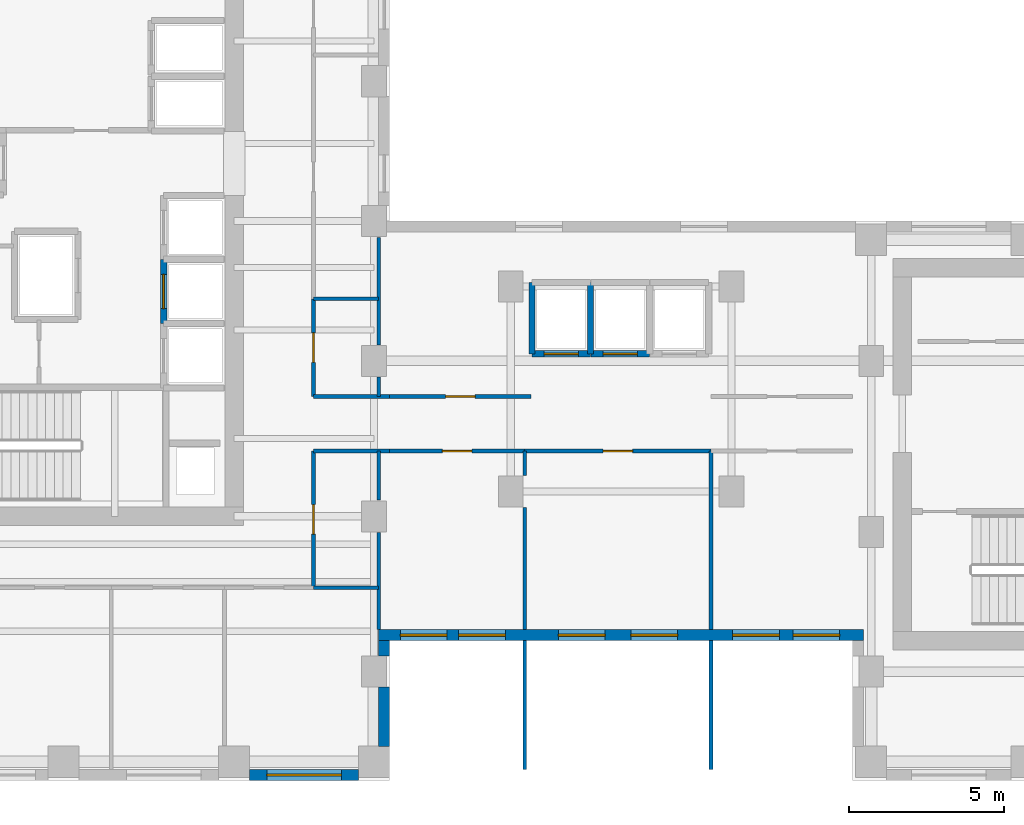
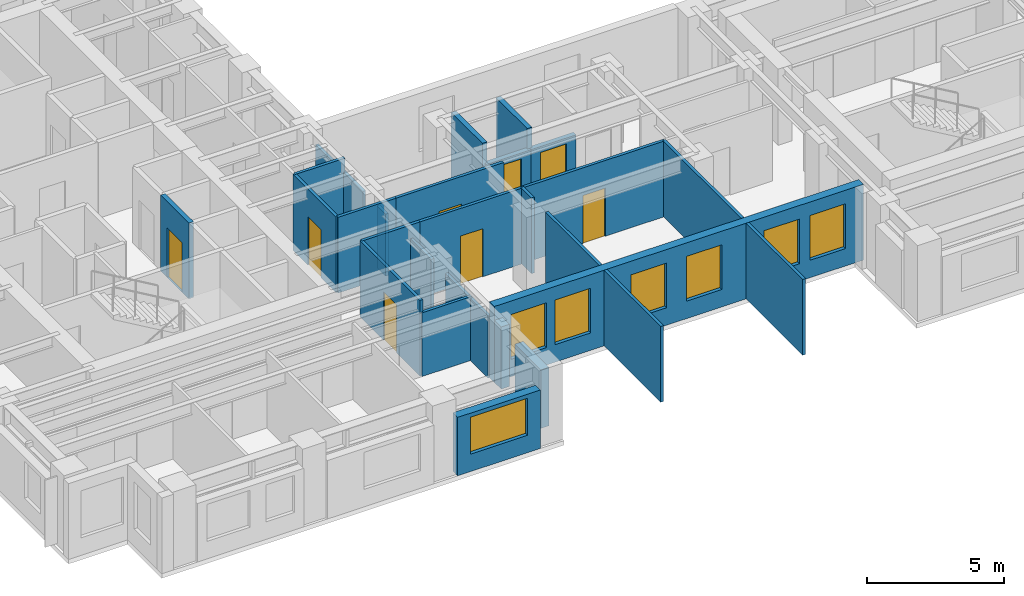
# One storey, part 4 of 11: 27 walls, 8 doors, 7 windows, 15 openings.
"""IFC4 building model written with IfcOpenShell, lengths in metres."""

from ifc_helpers import new_model, si_unit, direction, frame, frame_2d, origin, place, context, subcontext, project, spatial, rectangle, extrude, source, transform, mapped, material, layer, layer_set, type_object, element, fill, save


model = new_model("IFC4")

# Units and contexts
model_context = context("Model", 3, precision=1e-05, world=origin(), true_north=direction((0.0, 1.0)))
body_context = subcontext(model_context, "Body", "Model", "MODEL_VIEW")
ifc_project = project(units=[si_unit("LENGTHUNIT", "METRE"), si_unit("AREAUNIT", "SQUARE_METRE"), si_unit("VOLUMEUNIT", "CUBIC_METRE"), si_unit("PLANEANGLEUNIT", "RADIAN"), si_unit("MASSUNIT", "GRAM", prefix="KILO")], contexts=[model_context])

# Site, building, storey
site_placement = place(None, origin())
site = spatial("IfcSite", under=ifc_project, at=site_placement, CompositionType="ELEMENT")
building_placement = place(site_placement, origin())
building = spatial("IfcBuilding", under=site, at=building_placement, Name="Kharzan Plaza Tower", CompositionType="ELEMENT")
storey_placement = place(building_placement, frame((0.0, 0.0, 150.300048828125)))
storey = spatial("IfcBuildingStorey", under=building, at=storey_placement, Name="L40", CompositionType="ELEMENT", Elevation=150.300048828125)

# Wall, opening, window
ifc_material_1 = material(Name="Concrete C40/50", Category="concrete")
ifc_layer_1 = layer(ifc_material_1, 0.35009765625)
ifc_layer_set_1 = layer_set([ifc_layer_1], Name="Concrete C40/50")
wall_type_1 = type_object("IfcWallType", Name="WL-EXT-MAS-Z3", PredefinedType="SOLIDWALL", material=ifc_layer_set_1)
wall_1_placement = place(storey_placement, frame((14.998046875, 0.175048828125, 0.0), z_axis=(0.0, 0.0, 1.0), x_axis=(1.0, 0.0, 0.0)))
wall_1 = element("IfcWall", 1, at=wall_1_placement, inside=storey, type_object=wall_type_1, Name="L40 Masonry-Frame Exterior Wall 23", PredefinedType="SOLIDWALL", context=body_context, shape_type="SweptSolid", body=[
    extrude(rectangle(XDim=3.50390625, YDim=0.35009765625, at=frame_2d((1.751953125, 0.0))), origin(), (0.0, 0.0, 1.0), 2.612060546875),
])
opening_1_placement = place(wall_1_placement, frame((0.552001953125, 0.0, 0.780029296875)))
opening_1 = element("IfcOpeningElement", 2, at=opening_1_placement, cuts=wall_1, Name="Opening W2", PredefinedType="OPENING", context=body_context, shape_type="SweptSolid", body=[
    extrude(rectangle(XDim=2.39990234375, YDim=1.652099609375, at=frame_2d((1.199951171875, 0.826171875))), frame((0.0, 0.18505859375, 0.0), z_axis=(0.0, -1.0, 0.0), x_axis=(1.0, 0.0, 0.0)), (0.0, 0.0, 1.0), 0.3701171875),
])
ifc_material_2 = material(Name="Low-E Double Glazing", Category="glass")
window_type_1 = type_object("IfcWindowType", Name="WN-REC-2400x2100", PartitioningType="SINGLE_PANEL", PredefinedType="WINDOW", material=ifc_material_2)
shared_shape_1 = source(origin(), body_context, "Body", "SweptSolid", [
    extrude(rectangle(XDim=2.39990234375, YDim=1.652099609375, at=frame_2d((1.199951171875, 0.826171875))), frame((0.0, 0.030029296875, 0.0), z_axis=(0.0, -1.0, 0.0), x_axis=(1.0, 0.0, 0.0)), (0.0, 0.0, 1.0), 0.06005859375),
])
window_1_placement = place(opening_1_placement, origin())
window_1 = element("IfcWindow", 3, at=window_1_placement, inside=storey, type_object=window_type_1, Name="L40 Wide Recessed Solar-Control Window 23-1", OverallHeight=1.652099609375, OverallWidth=2.39990234375, PartitioningType="SINGLE_PANEL", PredefinedType="WINDOW", context=body_context, shape_type="MappedRepresentation", body=[
    mapped(shared_shape_1, transform((0.0, 0.0, 0.0), x_axis=(1.0, 0.0, 0.0), y_axis=(0.0, 1.0, 0.0), z_axis=(0.0, 0.0, 1.0))),
])
fill(opening_1, window_1)

# Wall, openings, windows
wall_2_placement = place(storey_placement, frame((19.14990234375, 4.675048828125, 0.0), z_axis=(0.0, 0.0, 1.0), x_axis=(1.0, 0.0, 0.0)))
wall_2 = element("IfcWall", 4, at=wall_2_placement, inside=storey, type_object=wall_type_1, Name="L40 Masonry-Frame Exterior Wall 26", PredefinedType="SOLIDWALL", context=body_context, shape_type="SweptSolid", body=[
    extrude(rectangle(XDim=15.60009765625, YDim=0.35009765625, at=frame_2d((7.800048828125, 0.0))), origin(), (0.0, 0.0, 1.0), 3.385009765625),
])
opening_2_placement = place(wall_2_placement, frame((0.69677734375, 0.0, 0.780029296875)))
opening_2 = element("IfcOpeningElement", 5, at=opening_2_placement, cuts=wall_2, Name="Opening W5", PredefinedType="OPENING", context=body_context, shape_type="SweptSolid", body=[
    extrude(rectangle(XDim=1.5, YDim=2.0, at=frame_2d((0.75, 1.0))), frame((0.0, 0.18505859375, 0.0), z_axis=(0.0, -1.0, 0.0), x_axis=(1.0, 0.0, 0.0)), (0.0, 0.0, 1.0), 0.3701171875),
])
opening_3_placement = place(wall_2_placement, frame((2.5732421875, 0.0, 0.780029296875)))
opening_3 = element("IfcOpeningElement", 6, at=opening_3_placement, cuts=wall_2, Name="Opening W5", PredefinedType="OPENING", context=body_context, shape_type="SweptSolid", body=[
    extrude(rectangle(XDim=1.5, YDim=2.0, at=frame_2d((0.75, 1.0))), frame((0.0, 0.18505859375, 0.0), z_axis=(0.0, -1.0, 0.0), x_axis=(1.0, 0.0, 0.0)), (0.0, 0.0, 1.0), 0.3701171875),
])
opening_4_placement = place(wall_2_placement, frame((5.783203125, 0.0, 0.780029296875)))
opening_4 = element("IfcOpeningElement", 7, at=opening_4_placement, cuts=wall_2, Name="Opening W5", PredefinedType="OPENING", context=body_context, shape_type="SweptSolid", body=[
    extrude(rectangle(XDim=1.5, YDim=2.0, at=frame_2d((0.75, 1.0))), frame((0.0, 0.18505859375, 0.0), z_axis=(0.0, -1.0, 0.0), x_axis=(1.0, 0.0, 0.0)), (0.0, 0.0, 1.0), 0.3701171875),
])
opening_5_placement = place(wall_2_placement, frame((8.11669921875, 0.0, 0.780029296875)))
opening_5 = element("IfcOpeningElement", 8, at=opening_5_placement, cuts=wall_2, Name="Opening W5", PredefinedType="OPENING", context=body_context, shape_type="SweptSolid", body=[
    extrude(rectangle(XDim=1.5, YDim=2.0, at=frame_2d((0.75, 1.0))), frame((0.0, 0.18505859375, 0.0), z_axis=(0.0, -1.0, 0.0), x_axis=(1.0, 0.0, 0.0)), (0.0, 0.0, 1.0), 0.3701171875),
])
opening_6_placement = place(wall_2_placement, frame((11.393310546875, 0.0, 0.780029296875)))
opening_6 = element("IfcOpeningElement", 9, at=opening_6_placement, cuts=wall_2, Name="Opening W5", PredefinedType="OPENING", context=body_context, shape_type="SweptSolid", body=[
    extrude(rectangle(XDim=1.5, YDim=2.0, at=frame_2d((0.75, 1.0))), frame((0.0, 0.18505859375, 0.0), z_axis=(0.0, -1.0, 0.0), x_axis=(1.0, 0.0, 0.0)), (0.0, 0.0, 1.0), 0.3701171875),
])
opening_7_placement = place(wall_2_placement, frame((13.336669921875, 0.0, 0.780029296875)))
opening_7 = element("IfcOpeningElement", 10, at=opening_7_placement, cuts=wall_2, Name="Opening W5", PredefinedType="OPENING", context=body_context, shape_type="SweptSolid", body=[
    extrude(rectangle(XDim=1.5, YDim=2.0, at=frame_2d((0.75, 1.0))), frame((0.0, 0.18505859375, 0.0), z_axis=(0.0, -1.0, 0.0), x_axis=(1.0, 0.0, 0.0)), (0.0, 0.0, 1.0), 0.3701171875),
])
window_type_2 = type_object("IfcWindowType", Name="WN-SLT-1500x2000", PartitioningType="SINGLE_PANEL", PredefinedType="WINDOW", material=ifc_material_2)
shared_shape_2 = source(origin(), body_context, "Body", "SweptSolid", [
    extrude(rectangle(XDim=1.5, YDim=2.0, at=frame_2d((0.75, 1.0))), frame((0.0, 0.030029296875, 0.0), z_axis=(0.0, -1.0, 0.0), x_axis=(1.0, 0.0, 0.0)), (0.0, 0.0, 1.0), 0.06005859375),
])
window_2_placement = place(opening_2_placement, origin())
window_2 = element("IfcWindow", 11, at=window_2_placement, inside=storey, type_object=window_type_2, Name="L40 Recessed Solar-Control Window 26-1", OverallHeight=2.0, OverallWidth=1.5, PartitioningType="SINGLE_PANEL", PredefinedType="WINDOW", context=body_context, shape_type="MappedRepresentation", body=[
    mapped(shared_shape_2, transform((0.0, 0.0, 0.0), x_axis=(1.0, 0.0, 0.0), y_axis=(0.0, 1.0, 0.0), z_axis=(0.0, 0.0, 1.0))),
])
fill(opening_2, window_2)
window_3_placement = place(opening_3_placement, origin())
window_3 = element("IfcWindow", 12, at=window_3_placement, inside=storey, type_object=window_type_2, Name="L40 Recessed Solar-Control Window 26-2", OverallHeight=2.0, OverallWidth=1.5, PartitioningType="SINGLE_PANEL", PredefinedType="WINDOW", context=body_context, shape_type="MappedRepresentation", body=[
    mapped(shared_shape_2, transform((0.0, 0.0, 0.0), x_axis=(1.0, 0.0, 0.0), y_axis=(0.0, 1.0, 0.0), z_axis=(0.0, 0.0, 1.0))),
])
fill(opening_3, window_3)
window_4_placement = place(opening_4_placement, origin())
window_4 = element("IfcWindow", 13, at=window_4_placement, inside=storey, type_object=window_type_2, Name="L40 Recessed Solar-Control Window 26-3", OverallHeight=2.0, OverallWidth=1.5, PartitioningType="SINGLE_PANEL", PredefinedType="WINDOW", context=body_context, shape_type="MappedRepresentation", body=[
    mapped(shared_shape_2, transform((0.0, 0.0, 0.0), x_axis=(1.0, 0.0, 0.0), y_axis=(0.0, 1.0, 0.0), z_axis=(0.0, 0.0, 1.0))),
])
fill(opening_4, window_4)
window_5_placement = place(opening_5_placement, origin())
window_5 = element("IfcWindow", 14, at=window_5_placement, inside=storey, type_object=window_type_2, Name="L40 Recessed Solar-Control Window 26-4", OverallHeight=2.0, OverallWidth=1.5, PartitioningType="SINGLE_PANEL", PredefinedType="WINDOW", context=body_context, shape_type="MappedRepresentation", body=[
    mapped(shared_shape_2, transform((0.0, 0.0, 0.0), x_axis=(1.0, 0.0, 0.0), y_axis=(0.0, 1.0, 0.0), z_axis=(0.0, 0.0, 1.0))),
])
fill(opening_5, window_5)
window_6_placement = place(opening_6_placement, origin())
window_6 = element("IfcWindow", 15, at=window_6_placement, inside=storey, type_object=window_type_2, Name="L40 Recessed Solar-Control Window 26-5", OverallHeight=2.0, OverallWidth=1.5, PartitioningType="SINGLE_PANEL", PredefinedType="WINDOW", context=body_context, shape_type="MappedRepresentation", body=[
    mapped(shared_shape_2, transform((0.0, 0.0, 0.0), x_axis=(1.0, 0.0, 0.0), y_axis=(0.0, 1.0, 0.0), z_axis=(0.0, 0.0, 1.0))),
])
fill(opening_6, window_6)
window_7_placement = place(opening_7_placement, origin())
window_7 = element("IfcWindow", 16, at=window_7_placement, inside=storey, type_object=window_type_2, Name="L40 Recessed Solar-Control Window 26-6", OverallHeight=2.0, OverallWidth=1.5, PartitioningType="SINGLE_PANEL", PredefinedType="WINDOW", context=body_context, shape_type="MappedRepresentation", body=[
    mapped(shared_shape_2, transform((0.0, 0.0, 0.0), x_axis=(1.0, 0.0, 0.0), y_axis=(0.0, 1.0, 0.0), z_axis=(0.0, 0.0, 1.0))),
])
fill(opening_7, window_7)

# Wall, opening, door
ifc_material_3 = material(Name="Fire-Rated Gypsum Board Partition", Category="gypsum")
ifc_layer_2 = layer(ifc_material_3, 0.125)
ifc_layer_set_2 = layer_set([ifc_layer_2], Name="Fire-Rated Gypsum Board Partition")
wall_type_2 = type_object("IfcWallType", Name="WL-INT-PART-125", PredefinedType="PARTITIONING", material=ifc_layer_set_2)
wall_3_placement = place(storey_placement, frame((17.050048828125, 12.35009765625, 0.0), z_axis=(0.0, 0.0, 1.0), x_axis=(0.0, 1.0, 0.0)))
wall_3 = element("IfcWall", 17, at=wall_3_placement, inside=storey, type_object=wall_type_2, Name="L40 Interior Partition SH-AEWN1", PredefinedType="PARTITIONING", context=body_context, shape_type="SweptSolid", body=[
    extrude(rectangle(XDim=3.14990234375, YDim=0.125, at=frame_2d((1.574951171875, 0.0))), origin(), (0.0, 0.0, 1.0), 3.385009765625),
])
opening_8_placement = place(wall_3_placement, frame((1.10009765625, 0.0, 0.0)))
opening_8 = element("IfcOpeningElement", 18, at=opening_8_placement, cuts=wall_3, Name="Opening OD1", PredefinedType="OPENING", context=body_context, shape_type="SweptSolid", body=[
    extrude(rectangle(XDim=0.949951171875, YDim=2.14990234375, at=frame_2d((0.47509765625, 1.074951171875))), frame((0.0, 0.072509765625, 0.0), z_axis=(0.0, -1.0, 0.0), x_axis=(1.0, 0.0, 0.0)), (0.0, 0.0, 1.0), 0.14501953125),
])
ifc_material_4 = material(Name="Acoustic Solid-Core Stained Oak", Category="timber")
door_type_1 = type_object("IfcDoorType", Name="DR-OFF-SINGLE", OperationType="NOTDEFINED", PredefinedType="DOOR", material=ifc_material_4)
shared_shape_3 = source(origin(), body_context, "Body", "SweptSolid", [
    extrude(rectangle(XDim=0.949951171875, YDim=2.14990234375, at=frame_2d((0.47509765625, 1.074951171875))), frame((0.0, 0.02490234375, 0.0), z_axis=(0.0, -1.0, 0.0), x_axis=(1.0, 0.0, 0.0)), (0.0, 0.0, 1.0), 0.050048828125),
])
door_1_placement = place(opening_8_placement, origin())
door_1 = element("IfcDoor", 19, at=door_1_placement, inside=storey, type_object=door_type_1, Name="L40 Slot Collaboration Door", OperationType="SINGLE_SWING_RIGHT", OverallHeight=2.14990234375, OverallWidth=0.949951171875, PredefinedType="DOOR", context=body_context, shape_type="MappedRepresentation", body=[
    mapped(shared_shape_3, transform((0.0, 0.0, 0.0), x_axis=(1.0, 0.0, 0.0), y_axis=(0.0, 1.0, 0.0), z_axis=(0.0, 0.0, 1.0))),
])
fill(opening_8, door_1)

wall_4_placement = place(storey_placement, frame((17.050048828125, 6.199951171875, 0.0), z_axis=(0.0, 0.0, 1.0), x_axis=(0.0, 1.0, 0.0)))
wall_4 = element("IfcWall", 20, at=wall_4_placement, inside=storey, type_object=wall_type_2, Name="L40 Interior Partition SH-AEWS", PredefinedType="PARTITIONING", context=body_context, shape_type="SweptSolid", body=[
    extrude(rectangle(XDim=4.400146484375, YDim=0.125, at=frame_2d((2.2001953125, 0.0))), origin(), (0.0, 0.0, 1.0), 3.385009765625),
])
opening_9_placement = place(wall_4_placement, frame((1.72509765625, 0.0, 0.0)))
opening_9 = element("IfcOpeningElement", 21, at=opening_9_placement, cuts=wall_4, Name="Opening OD1", PredefinedType="OPENING", context=body_context, shape_type="SweptSolid", body=[
    extrude(rectangle(XDim=0.949951171875, YDim=2.14990234375, at=frame_2d((0.47509765625, 1.074951171875))), frame((0.0, 0.072509765625, 0.0), z_axis=(0.0, -1.0, 0.0), x_axis=(1.0, 0.0, 0.0)), (0.0, 0.0, 1.0), 0.14501953125),
])
door_2_placement = place(opening_9_placement, origin())
door_2 = element("IfcDoor", 22, at=door_2_placement, inside=storey, type_object=door_type_1, Name="L40 Slot South Office Door", OperationType="SINGLE_SWING_LEFT", OverallHeight=2.14990234375, OverallWidth=0.949951171875, PredefinedType="DOOR", context=body_context, shape_type="MappedRepresentation", body=[
    mapped(shared_shape_3, transform((0.0, 0.0, 0.0), x_axis=(1.0, 0.0, 0.0), y_axis=(0.0, 1.0, 0.0), z_axis=(0.0, 0.0, 1.0))),
])
fill(opening_9, door_2)

wall_5_placement = place(storey_placement, frame((19.5, 12.35009765625, 0.0), z_axis=(0.0, 0.0, 1.0), x_axis=(1.0, 0.0, 0.0)))
wall_5 = element("IfcWall", 23, at=wall_5_placement, inside=storey, type_object=wall_type_2, Name="L40 Interior Partition SH-SPNW1", PredefinedType="PARTITIONING", context=body_context, shape_type="SweptSolid", body=[
    extrude(rectangle(XDim=4.550048828125, YDim=0.125, at=frame_2d((2.27490234375, 0.0))), origin(), (0.0, 0.0, 1.0), 3.385009765625),
])
opening_10_placement = place(wall_5_placement, frame((1.800048828125, 0.0, 0.0)))
opening_10 = element("IfcOpeningElement", 24, at=opening_10_placement, cuts=wall_5, Name="Opening OD1", PredefinedType="OPENING", context=body_context, shape_type="SweptSolid", body=[
    extrude(rectangle(XDim=0.949951171875, YDim=2.14990234375, at=frame_2d((0.47509765625, 1.074951171875))), frame((0.0, 0.072509765625, 0.0), z_axis=(0.0, -1.0, 0.0), x_axis=(1.0, 0.0, 0.0)), (0.0, 0.0, 1.0), 0.14501953125),
])
door_3_placement = place(opening_10_placement, origin())
door_3 = element("IfcDoor", 25, at=door_3_placement, inside=storey, type_object=door_type_1, Name="L40 North-West Spine Door", OperationType="SINGLE_SWING_LEFT", OverallHeight=2.14990234375, OverallWidth=0.949951171875, PredefinedType="DOOR", context=body_context, shape_type="MappedRepresentation", body=[
    mapped(shared_shape_3, transform((0.0, 0.0, 0.0), x_axis=(1.0, 0.0, 0.0), y_axis=(0.0, 1.0, 0.0), z_axis=(0.0, 0.0, 1.0))),
])
fill(opening_10, door_3)

wall_6_placement = place(storey_placement, frame((19.5, 10.60009765625, 0.0), z_axis=(0.0, 0.0, 1.0), x_axis=(1.0, 0.0, 0.0)))
wall_6 = element("IfcWall", 26, at=wall_6_placement, inside=storey, type_object=wall_type_2, Name="L40 Interior Partition SH-SPS1", PredefinedType="PARTITIONING", context=body_context, shape_type="SweptSolid", body=[
    extrude(rectangle(XDim=4.35009765625, YDim=0.125, at=frame_2d((2.175048828125, 0.0))), origin(), (0.0, 0.0, 1.0), 3.385009765625),
])
opening_11_placement = place(wall_6_placement, frame((1.699951171875, 0.0, 0.0)))
opening_11 = element("IfcOpeningElement", 27, at=opening_11_placement, cuts=wall_6, Name="Opening OD1", PredefinedType="OPENING", context=body_context, shape_type="SweptSolid", body=[
    extrude(rectangle(XDim=0.949951171875, YDim=2.14990234375, at=frame_2d((0.47509765625, 1.074951171875))), frame((0.0, 0.072509765625, 0.0), z_axis=(0.0, -1.0, 0.0), x_axis=(1.0, 0.0, 0.0)), (0.0, 0.0, 1.0), 0.14501953125),
])
door_4_placement = place(opening_11_placement, origin())
door_4 = element("IfcDoor", 28, at=door_4_placement, inside=storey, type_object=door_type_1, Name="L40 Spine Studio 1 Door", OperationType="SINGLE_SWING_RIGHT", OverallHeight=2.14990234375, OverallWidth=0.949951171875, PredefinedType="DOOR", context=body_context, shape_type="MappedRepresentation", body=[
    mapped(shared_shape_3, transform((0.0, 0.0, 0.0), x_axis=(1.0, 0.0, 0.0), y_axis=(0.0, 1.0, 0.0), z_axis=(0.0, 0.0, 1.0))),
])
fill(opening_11, door_4)

wall_7_placement = place(storey_placement, frame((23.85009765625, 10.60009765625, 0.0), z_axis=(0.0, 0.0, 1.0), x_axis=(1.0, 0.0, 0.0)))
wall_7 = element("IfcWall", 29, at=wall_7_placement, inside=storey, type_object=wall_type_2, Name="L40 Interior Partition SH-SPS2", PredefinedType="PARTITIONING", context=body_context, shape_type="SweptSolid", body=[
    extrude(rectangle(XDim=6.0, YDim=0.125, at=frame_2d((3.0, 0.0))), origin(), (0.0, 0.0, 1.0), 3.385009765625),
])
opening_12_placement = place(wall_7_placement, frame((2.52490234375, 0.0, 0.0)))
opening_12 = element("IfcOpeningElement", 30, at=opening_12_placement, cuts=wall_7, Name="Opening OD1", PredefinedType="OPENING", context=body_context, shape_type="SweptSolid", body=[
    extrude(rectangle(XDim=0.949951171875, YDim=2.14990234375, at=frame_2d((0.47509765625, 1.074951171875))), frame((0.0, 0.072509765625, 0.0), z_axis=(0.0, -1.0, 0.0), x_axis=(1.0, 0.0, 0.0)), (0.0, 0.0, 1.0), 0.14501953125),
])
door_5_placement = place(opening_12_placement, origin())
door_5 = element("IfcDoor", 31, at=door_5_placement, inside=storey, type_object=door_type_1, Name="L40 Spine Studio 2 Door", OperationType="SINGLE_SWING_LEFT", OverallHeight=2.14990234375, OverallWidth=0.949951171875, PredefinedType="DOOR", context=body_context, shape_type="MappedRepresentation", body=[
    mapped(shared_shape_3, transform((0.0, 0.0, 0.0), x_axis=(1.0, 0.0, 0.0), y_axis=(0.0, 1.0, 0.0), z_axis=(0.0, 0.0, 1.0))),
])
fill(opening_12, door_5)

ifc_layer_3 = layer(ifc_material_1, 0.199951171875)
ifc_layer_set_3 = layer_set([ifc_layer_3], Name="Concrete C40/50")
wall_type_3 = type_object("IfcWallType", Name="WL-INT-SHAFT-200", PredefinedType="PARTITIONING", material=ifc_layer_set_3)
wall_8_placement = place(storey_placement, frame((12.22998046875, 14.699951171875, 0.0), z_axis=(0.0, 0.0, 1.0), x_axis=(0.0, 1.0, 0.0)))
wall_8 = element("IfcWall", 32, at=wall_8_placement, inside=storey, type_object=wall_type_3, Name="L40 Interior Partition SHF-PL-H2-W", PredefinedType="PARTITIONING", context=body_context, shape_type="SweptSolid", body=[
    extrude(rectangle(XDim=2.070068359375, YDim=0.199951171875, at=frame_2d((1.03515625, 0.0))), origin(), (0.0, 0.0, 1.0), 3.385009765625),
])
opening_13_placement = place(wall_8_placement, frame((0.485107421875, 0.0, 0.0)))
opening_13 = element("IfcOpeningElement", 33, at=opening_13_placement, cuts=wall_8, Name="Opening LD", PredefinedType="OPENING", context=body_context, shape_type="SweptSolid", body=[
    extrude(rectangle(XDim=1.10009765625, YDim=2.199951171875, at=frame_2d((0.550048828125, 1.10009765625))), frame((0.0, 0.10986328125, 0.0), z_axis=(0.0, -1.0, 0.0), x_axis=(1.0, 0.0, 0.0)), (0.0, 0.0, 1.0), 0.219970703125),
])
ifc_material_5 = material(Name="Brushed Stainless Steel", Category="steel")
door_type_2 = type_object("IfcDoorType", Name="DR-LIFT-SLIDE", OperationType="SLIDING_TO_LEFT", PredefinedType="DOOR", material=ifc_material_5)
shared_shape_4 = source(origin(), body_context, "Body", "SweptSolid", [
    extrude(rectangle(XDim=1.10009765625, YDim=2.199951171875, at=frame_2d((0.550048828125, 1.10009765625))), frame((0.0, 0.02490234375, 0.0), z_axis=(0.0, -1.0, 0.0), x_axis=(1.0, 0.0, 0.0)), (0.0, 0.0, 1.0), 0.050048828125),
])
door_6_placement = place(opening_13_placement, origin())
door_6 = element("IfcDoor", 34, at=door_6_placement, inside=storey, type_object=door_type_2, Name="L40 High-Rise Passenger Lift PL-H2 Sliding Landing Door", OperationType="SLIDING_TO_LEFT", OverallHeight=2.199951171875, OverallWidth=1.10009765625, PredefinedType="DOOR", context=body_context, shape_type="MappedRepresentation", body=[
    mapped(shared_shape_4, transform((0.0, 0.0, 0.0), x_axis=(1.0, 0.0, 0.0), y_axis=(0.0, 1.0, 0.0), z_axis=(0.0, 0.0, 1.0))),
])
fill(opening_13, door_6)

wall_9_placement = place(storey_placement, frame((24.080078125, 13.72998046875, 0.0), z_axis=(0.0, 0.0, 1.0), x_axis=(1.0, 0.0, 0.0)))
wall_9 = element("IfcWall", 35, at=wall_9_placement, inside=storey, type_object=wall_type_3, Name="L40 Interior Partition SHF-PL-M1-S", PredefinedType="PARTITIONING", context=body_context, shape_type="SweptSolid", body=[
    extrude(rectangle(XDim=1.889892578125, YDim=0.199951171875, at=frame_2d((0.94482421875, 0.0))), origin(), (0.0, 0.0, 1.0), 2.466064453125),
])
opening_14_placement = place(wall_9_placement, frame((0.39501953125, 0.0, 0.0)))
opening_14 = element("IfcOpeningElement", 36, at=opening_14_placement, cuts=wall_9, Name="Opening LD", PredefinedType="OPENING", context=body_context, shape_type="SweptSolid", body=[
    extrude(rectangle(XDim=1.10009765625, YDim=2.199951171875, at=frame_2d((0.550048828125, 1.10009765625))), frame((0.0, 0.10986328125, 0.0), z_axis=(0.0, -1.0, 0.0), x_axis=(1.0, 0.0, 0.0)), (0.0, 0.0, 1.0), 0.219970703125),
])
door_7_placement = place(opening_14_placement, origin())
door_7 = element("IfcDoor", 37, at=door_7_placement, inside=storey, type_object=door_type_2, Name="L40 Mid-Rise Passenger Lift PL-M1 Sliding Landing Door", OperationType="SLIDING_TO_LEFT", OverallHeight=2.199951171875, OverallWidth=1.10009765625, PredefinedType="DOOR", context=body_context, shape_type="MappedRepresentation", body=[
    mapped(shared_shape_4, transform((0.0, 0.0, 0.0), x_axis=(1.0, 0.0, 0.0), y_axis=(0.0, 1.0, 0.0), z_axis=(0.0, 0.0, 1.0))),
])
fill(opening_14, door_7)

wall_10_placement = place(storey_placement, frame((25.97998046875, 13.72998046875, 0.0), z_axis=(0.0, 0.0, 1.0), x_axis=(1.0, 0.0, 0.0)))
wall_10 = element("IfcWall", 38, at=wall_10_placement, inside=storey, type_object=wall_type_3, Name="L40 Interior Partition SHF-PL-M2-S", PredefinedType="PARTITIONING", context=body_context, shape_type="SweptSolid", body=[
    extrude(rectangle(XDim=1.89013671875, YDim=0.199951171875, at=frame_2d((0.945068359375, 0.0))), origin(), (0.0, 0.0, 1.0), 2.466064453125),
])
opening_15_placement = place(wall_10_placement, frame((0.39501953125, 0.0, 0.0)))
opening_15 = element("IfcOpeningElement", 39, at=opening_15_placement, cuts=wall_10, Name="Opening LD", PredefinedType="OPENING", context=body_context, shape_type="SweptSolid", body=[
    extrude(rectangle(XDim=1.10009765625, YDim=2.199951171875, at=frame_2d((0.550048828125, 1.10009765625))), frame((0.0, 0.10986328125, 0.0), z_axis=(0.0, -1.0, 0.0), x_axis=(1.0, 0.0, 0.0)), (0.0, 0.0, 1.0), 0.219970703125),
])
door_8_placement = place(opening_15_placement, origin())
door_8 = element("IfcDoor", 40, at=door_8_placement, inside=storey, type_object=door_type_2, Name="L40 Mid-Rise Passenger Lift PL-M2 Sliding Landing Door", OperationType="SLIDING_TO_LEFT", OverallHeight=2.199951171875, OverallWidth=1.10009765625, PredefinedType="DOOR", context=body_context, shape_type="MappedRepresentation", body=[
    mapped(shared_shape_4, transform((0.0, 0.0, 0.0), x_axis=(1.0, 0.0, 0.0), y_axis=(0.0, 1.0, 0.0), z_axis=(0.0, 0.0, 1.0))),
])
fill(opening_15, door_8)

# Walls
shared_shape_5 = source(origin(), body_context, "Body", "SweptSolid", [
    extrude(rectangle(XDim=0.50390625, YDim=0.35009765625, at=frame_2d((0.251953125, 0.0))), origin(), (0.0, 0.0, 1.0), 2.77294921875),
])
wall_11_placement = place(storey_placement, frame((19.324951171875, 3.998046875, 0.0), z_axis=(0.0, 0.0, 1.0), x_axis=(0.0, 1.0, 0.0)))
element("IfcWall", 41, at=wall_11_placement, inside=storey, type_object=wall_type_1, Name="L40 Masonry-Frame Exterior Wall 25", PredefinedType="SOLIDWALL", context=body_context, shape_type="MappedRepresentation", body=[
    mapped(shared_shape_5, transform((0.0, 0.0, 0.0), x_axis=(1.0, 0.0, 0.0), y_axis=(0.0, 1.0, 0.0), z_axis=(0.0, 0.0, 1.0))),
])
shared_shape_6 = source(origin(), body_context, "Body", "SweptSolid", [
    extrude(rectangle(XDim=2.099853515625, YDim=0.125, at=frame_2d((1.0498046875, 0.0))), origin(), (0.0, 0.0, 1.0), 3.385009765625),
])
wall_12_placement = place(storey_placement, frame((17.050048828125, 15.5, 0.0), z_axis=(0.0, 0.0, 1.0), x_axis=(1.0, 0.0, 0.0)))
element("IfcWall", 42, at=wall_12_placement, inside=storey, type_object=wall_type_2, Name="L40 Interior Partition SH-AEH-155", PredefinedType="PARTITIONING", context=body_context, shape_type="MappedRepresentation", body=[
    mapped(shared_shape_6, transform((0.0, 0.0, 0.0), x_axis=(1.0, 0.0, 0.0), y_axis=(0.0, 1.0, 0.0), z_axis=(0.0, 0.0, 1.0))),
])
shared_shape_7 = source(origin(), body_context, "Body", "SweptSolid", [
    extrude(rectangle(XDim=0.6298828125, YDim=0.125, at=frame_2d((0.31494140625, 0.0))), origin(), (0.0, 0.0, 1.0), 2.77294921875),
])
wall_13_placement = place(storey_placement, frame((19.14990234375, 12.35009765625, 0.0), z_axis=(0.0, 0.0, 1.0), x_axis=(0.0, 1.0, 0.0)))
element("IfcWall", 43, at=wall_13_placement, inside=storey, type_object=wall_type_2, Name="L40 Interior Partition SH-AEN-DIV-S1", PredefinedType="PARTITIONING", context=body_context, shape_type="MappedRepresentation", body=[
    mapped(shared_shape_7, transform((0.0, 0.0, 0.0), x_axis=(1.0, 0.0, 0.0), y_axis=(0.0, 1.0, 0.0), z_axis=(0.0, 0.0, 1.0))),
])
shared_shape_8 = source(origin(), body_context, "Body", "SweptSolid", [
    extrude(rectangle(XDim=3.4599609375, YDim=0.125, at=frame_2d((1.72998046875, 0.0))), origin(), (0.0, 0.0, 1.0), 2.77294921875),
])
wall_14_placement = place(storey_placement, frame((19.14990234375, 14.02001953125, 0.0), z_axis=(0.0, 0.0, 1.0), x_axis=(0.0, 1.0, 0.0)))
element("IfcWall", 44, at=wall_14_placement, inside=storey, type_object=wall_type_2, Name="L40 Interior Partition SH-AEN-DIV-S2", PredefinedType="PARTITIONING", context=body_context, shape_type="MappedRepresentation", body=[
    mapped(shared_shape_8, transform((0.0, 0.0, 0.0), x_axis=(1.0, 0.0, 0.0), y_axis=(0.0, 1.0, 0.0), z_axis=(0.0, 0.0, 1.0))),
])
shared_shape_9 = source(origin(), body_context, "Body", "SweptSolid", [
    extrude(rectangle(XDim=3.1279296875, YDim=0.125, at=frame_2d((1.56396484375, 0.0))), origin(), (0.0, 0.0, 1.0), 2.77294921875),
])
wall_15_placement = place(storey_placement, frame((19.14990234375, 4.85205078125, 0.0), z_axis=(0.0, 0.0, 1.0), x_axis=(0.0, 1.0, 0.0)))
element("IfcWall", 45, at=wall_15_placement, inside=storey, type_object=wall_type_2, Name="L40 Interior Partition SH-AESP-DIV-S1", PredefinedType="PARTITIONING", context=body_context, shape_type="MappedRepresentation", body=[
    mapped(shared_shape_9, transform((0.0, 0.0, 0.0), x_axis=(1.0, 0.0, 0.0), y_axis=(0.0, 1.0, 0.0), z_axis=(0.0, 0.0, 1.0))),
])
shared_shape_10 = source(origin(), body_context, "Body", "SweptSolid", [
    extrude(rectangle(XDim=1.580078125, YDim=0.125, at=frame_2d((0.7900390625, 0.0))), origin(), (0.0, 0.0, 1.0), 2.77294921875),
])
wall_16_placement = place(storey_placement, frame((19.14990234375, 9.02001953125, 0.0), z_axis=(0.0, 0.0, 1.0), x_axis=(0.0, 1.0, 0.0)))
element("IfcWall", 46, at=wall_16_placement, inside=storey, type_object=wall_type_2, Name="L40 Interior Partition SH-AESP-DIV-S2", PredefinedType="PARTITIONING", context=body_context, shape_type="MappedRepresentation", body=[
    mapped(shared_shape_10, transform((0.0, 0.0, 0.0), x_axis=(1.0, 0.0, 0.0), y_axis=(0.0, 1.0, 0.0), z_axis=(0.0, 0.0, 1.0))),
])
shared_shape_11 = source(origin(), body_context, "Body", "SweptSolid", [
    extrude(rectangle(XDim=2.449951171875, YDim=0.125, at=frame_2d((1.22509765625, 0.0))), origin(), (0.0, 0.0, 1.0), 3.385009765625),
])
for number, where, z_axis, x_axis, name in (
    (47, (17.050048828125, 12.35009765625, 0.0), (0.0, 0.0, 1.0), (1.0, 0.0, 0.0), "L40 Interior Partition SH-SPNW0"),
    (48, (17.050048828125, 10.60009765625, 0.0), (0.0, 0.0, 1.0), (1.0, 0.0, 0.0), "L40 Interior Partition SH-SPS0"),
):
    element("IfcWall", number, at=place(storey_placement, frame(where, z_axis=z_axis, x_axis=x_axis)), inside=storey, type_object=wall_type_2, Name=name, PredefinedType="PARTITIONING", context=body_context, shape_type="MappedRepresentation", body=[
        mapped(shared_shape_11, transform((0.0, 0.0, 0.0), x_axis=(1.0, 0.0, 0.0), y_axis=(0.0, 1.0, 0.0), z_axis=(0.0, 0.0, 1.0))),
    ])
shared_shape_12 = source(origin(), body_context, "Body", "SweptSolid", [
    extrude(rectangle(XDim=2.099853515625, YDim=0.125, at=frame_2d((1.0498046875, 0.0))), origin(), (0.0, 0.0, 1.0), 2.847900390625),
])
wall_17_placement = place(storey_placement, frame((17.050048828125, 6.199951171875, 0.0), z_axis=(0.0, 0.0, 1.0), x_axis=(1.0, 0.0, 0.0)))
element("IfcWall", 49, at=wall_17_placement, inside=storey, type_object=wall_type_2, Name="L40 Interior Partition SH-SSE-4", PredefinedType="PARTITIONING", context=body_context, shape_type="MappedRepresentation", body=[
    mapped(shared_shape_12, transform((0.0, 0.0, 0.0), x_axis=(1.0, 0.0, 0.0), y_axis=(0.0, 1.0, 0.0), z_axis=(0.0, 0.0, 1.0))),
])
shared_shape_13 = source(origin(), body_context, "Body", "SweptSolid", [
    extrude(rectangle(XDim=2.2900390625, YDim=0.199951171875, at=frame_2d((1.14501953125, 0.0))), origin(), (0.0, 0.0, 1.0), 3.385009765625),
])
for number, where, z_axis, x_axis, name in (
    (50, (25.969970703125, 13.72998046875, 0.0), (0.0, 0.0, 1.0), (0.0, 1.0, 0.0), "L40 Interior Partition SHF-PL-M1-E"),
    (51, (24.080078125, 13.72998046875, 0.0), (0.0, 0.0, 1.0), (0.0, 1.0, 0.0), "L40 Interior Partition SHF-PL-M1-W"),
):
    element("IfcWall", number, at=place(storey_placement, frame(where, z_axis=z_axis, x_axis=x_axis)), inside=storey, type_object=wall_type_3, Name=name, PredefinedType="PARTITIONING", context=body_context, shape_type="MappedRepresentation", body=[
        mapped(shared_shape_13, transform((0.0, 0.0, 0.0), x_axis=(1.0, 0.0, 0.0), y_axis=(0.0, 1.0, 0.0), z_axis=(0.0, 0.0, 1.0))),
    ])
shared_shape_14 = source(origin(), body_context, "Body", "SweptSolid", [
    extrude(rectangle(XDim=1.904052734375, YDim=0.35009765625, at=frame_2d((0.9521484375, 0.0))), origin(), (0.0, 0.0, 1.0), 2.612060546875),
])
wall_18_placement = place(storey_placement, frame((19.324951171875, 1.097900390625, 0.0), z_axis=(0.0, 0.0, 1.0), x_axis=(0.0, 1.0, 0.0)))
element("IfcWall", 52, at=wall_18_placement, inside=storey, type_object=wall_type_1, Name="L40 Masonry-Frame Exterior Wall 24", PredefinedType="SOLIDWALL", context=body_context, shape_type="MappedRepresentation", body=[
    mapped(shared_shape_14, transform((0.0, 0.0, 0.0), x_axis=(1.0, 0.0, 0.0), y_axis=(0.0, 1.0, 0.0), z_axis=(0.0, 0.0, 1.0))),
])
shared_shape_15 = source(origin(), body_context, "Body", "SweptSolid", [
    extrude(rectangle(XDim=4.14794921875, YDim=0.125, at=frame_2d((2.073974609375, 0.0))), origin(), (0.0, 0.0, 1.0), 3.385009765625),
])
for number, where, z_axis, x_axis, name in (
    (53, (23.85009765625, 0.35009765625, 0.0), (0.0, 0.0, 1.0), (0.0, 1.0, 0.0), "L40 Interior Partition SH-SPSV1-S1"),
    (54, (29.85009765625, 0.35009765625, 0.0), (0.0, 0.0, 1.0), (0.0, 1.0, 0.0), "L40 Interior Partition SH-SPSV2-S1"),
):
    element("IfcWall", number, at=place(storey_placement, frame(where, z_axis=z_axis, x_axis=x_axis)), inside=storey, type_object=wall_type_2, Name=name, PredefinedType="PARTITIONING", context=body_context, shape_type="MappedRepresentation", body=[
        mapped(shared_shape_15, transform((0.0, 0.0, 0.0), x_axis=(1.0, 0.0, 0.0), y_axis=(0.0, 1.0, 0.0), z_axis=(0.0, 0.0, 1.0))),
    ])
shared_shape_16 = source(origin(), body_context, "Body", "SweptSolid", [
    extrude(rectangle(XDim=5.748046875, YDim=0.125, at=frame_2d((2.8740234375, 0.0))), origin(), (0.0, 0.0, 1.0), 3.385009765625),
])
wall_19_placement = place(storey_placement, frame((29.85009765625, 4.85205078125, 0.0), z_axis=(0.0, 0.0, 1.0), x_axis=(0.0, 1.0, 0.0)))
element("IfcWall", 55, at=wall_19_placement, inside=storey, type_object=wall_type_2, Name="L40 Interior Partition SH-SPSV2-S2", PredefinedType="PARTITIONING", context=body_context, shape_type="MappedRepresentation", body=[
    mapped(shared_shape_16, transform((0.0, 0.0, 0.0), x_axis=(1.0, 0.0, 0.0), y_axis=(0.0, 1.0, 0.0), z_axis=(0.0, 0.0, 1.0))),
])
shared_shape_17 = source(origin(), body_context, "Body", "SweptSolid", [
    extrude(rectangle(XDim=3.927978515625, YDim=0.125, at=frame_2d((1.9638671875, 0.0))), origin(), (0.0, 0.0, 1.0), 3.385009765625),
])
wall_20_placement = place(storey_placement, frame((23.85009765625, 4.85205078125, 0.0), z_axis=(0.0, 0.0, 1.0), x_axis=(0.0, 1.0, 0.0)))
element("IfcWall", 56, at=wall_20_placement, inside=storey, type_object=wall_type_2, Name="L40 Interior Partition SH-SPSV1-S2", PredefinedType="PARTITIONING", context=body_context, shape_type="MappedRepresentation", body=[
    mapped(shared_shape_17, transform((0.0, 0.0, 0.0), x_axis=(1.0, 0.0, 0.0), y_axis=(0.0, 1.0, 0.0), z_axis=(0.0, 0.0, 1.0))),
])
shared_shape_18 = source(origin(), body_context, "Body", "SweptSolid", [
    extrude(rectangle(XDim=0.780029296875, YDim=0.125, at=frame_2d((0.39013671875, 0.0))), origin(), (0.0, 0.0, 1.0), 3.385009765625),
])
wall_21_placement = place(storey_placement, frame((23.85009765625, 9.820068359375, 0.0), z_axis=(0.0, 0.0, 1.0), x_axis=(0.0, 1.0, 0.0)))
element("IfcWall", 57, at=wall_21_placement, inside=storey, type_object=wall_type_2, Name="L40 Interior Partition SH-SPSV1-S3", PredefinedType="PARTITIONING", context=body_context, shape_type="MappedRepresentation", body=[
    mapped(shared_shape_18, transform((0.0, 0.0, 0.0), x_axis=(1.0, 0.0, 0.0), y_axis=(0.0, 1.0, 0.0), z_axis=(0.0, 0.0, 1.0))),
])

save(model, "model.ifc")
